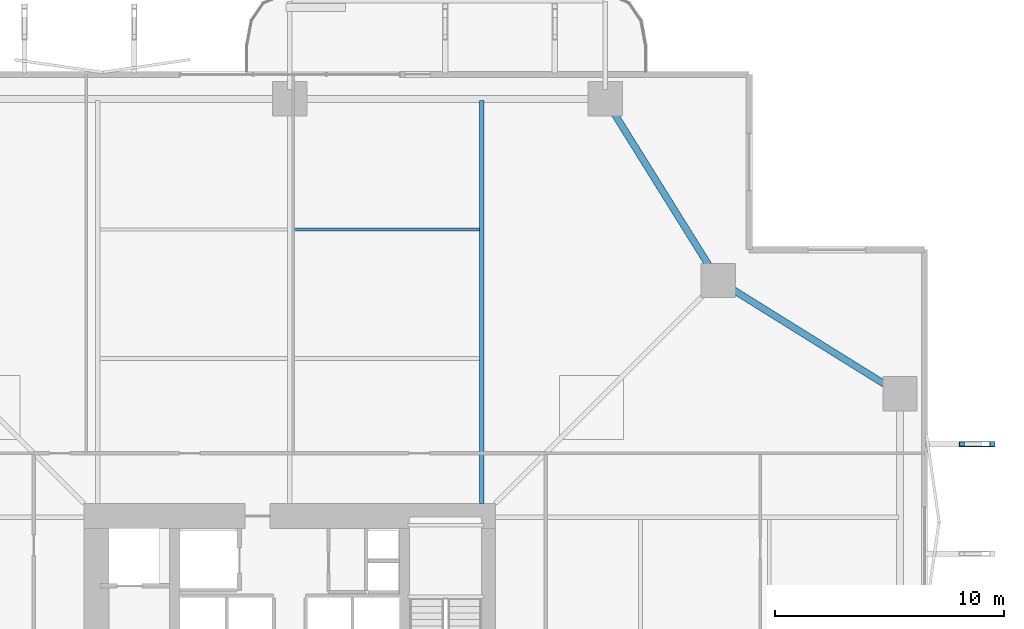
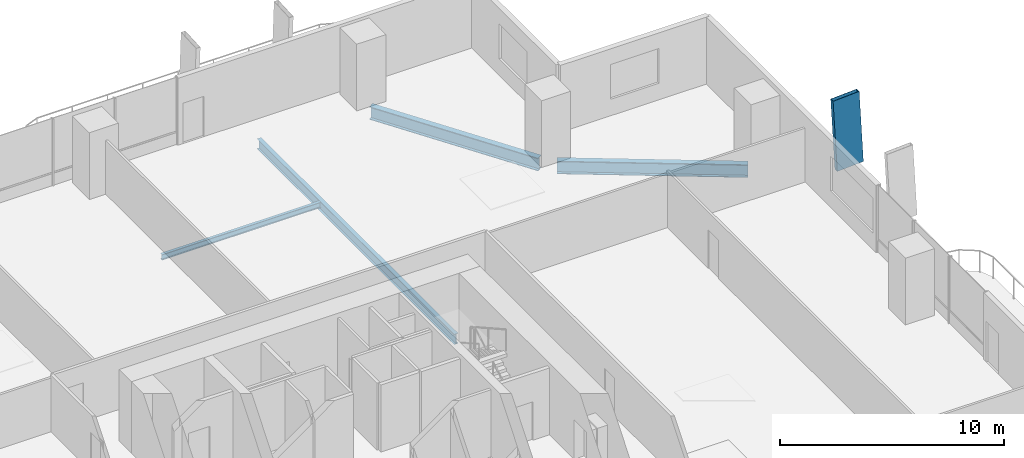
# One storey, part 14 of 23: 4 beams, 1 member.
"""IFC4 building model written with IfcOpenShell, lengths in metres."""

from ifc_helpers import new_model, si_unit, direction, frame, origin, origin_2d, place, context, subcontext, project, spatial, hollow_rectangle, i_section, extrude, material, material_profile, profile_set, type_object, element, save


model = new_model("IFC4")

# Units and contexts
model_context = context("Model", 3, precision=1e-05, world=origin(), true_north=direction((0.0, 1.0)))
body_context = subcontext(model_context, "Body", "Model", "MODEL_VIEW")
ifc_project = project(units=[si_unit("LENGTHUNIT", "METRE"), si_unit("AREAUNIT", "SQUARE_METRE"), si_unit("VOLUMEUNIT", "CUBIC_METRE"), si_unit("PLANEANGLEUNIT", "RADIAN"), si_unit("MASSUNIT", "GRAM", prefix="KILO")], contexts=[model_context])

# Site, building, storey
site_placement = place(None, origin())
site = spatial("IfcSite", under=ifc_project, at=site_placement, CompositionType="ELEMENT")
building_placement = place(site_placement, origin())
building = spatial("IfcBuilding", under=site, at=building_placement, Name="Belovzor Exchange Tower", CompositionType="ELEMENT")
storey_placement = place(building_placement, frame((0.0, 0.0, 53.39990234375)))
storey = spatial("IfcBuildingStorey", under=building, at=storey_placement, Name="L12", CompositionType="ELEMENT", Elevation=53.39990234375)

# Member
ifc_material_1 = material(Name="Extruded Architectural Terracotta on Steel S355 Carrier", Category="masonry")
ifc_material_profile_1 = material_profile(ifc_material_1, hollow_rectangle(XDim=0.219970703125, YDim=1.35009765625, WallThickness=0.013916015625, at=origin_2d()))
ifc_profile_set_1 = profile_set([ifc_material_profile_1], Name="Extruded Architectural Terracotta on Steel S355 Carrier")
member_type = type_object("IfcMemberType", Name="Base Arc Sweeping Terracotta Pylon Fin 1450", PredefinedType="USERDEFINED", material=ifc_profile_set_1)
member_placement = place(storey_placement, frame((58.97900390625, 40.39990234375, -0.25), z_axis=(-0.055314244803, 0.0, 0.998468995173), x_axis=(0.0, -1.0, 0.0)))
element("IfcMember", 1, at=member_placement, inside=storey, type_object=member_type, Name="FIN-TC145 Terracotta Facade Fin L12 E4", ObjectType="FIN", PredefinedType="USERDEFINED", context=body_context, shape_type="SweptSolid", body=[
    extrude(hollow_rectangle(XDim=0.219970703125, YDim=1.35009765625, WallThickness=0.013916015625, at=origin_2d()), origin(), (0.0, 0.0, 1.0), 3.906005859375),
])

# Beams
ifc_material_2 = material(Name="Steel S355", Category="steel")
ifc_material_profile_2 = material_profile(ifc_material_2, i_section(OverallWidth=0.14990234375, OverallDepth=0.300048828125, WebThickness=0.007080078125, FlangeThickness=0.0107421875, at=origin_2d()))
ifc_profile_set_2 = profile_set([ifc_material_profile_2], Name="Steel S355")
beam_type_1 = type_object("IfcBeamType", Name="Secondary Trim Floor Joist IPE 300", PredefinedType="BEAM", material=ifc_profile_set_2)
beam_1_placement = place(storey_placement, frame((28.905029296875, 49.784912109375, -0.39990234375), z_axis=(1.0, 0.0, 0.0), x_axis=(0.0, 1.0, 0.0)))
element("IfcBeam", 2, at=beam_1_placement, inside=storey, type_object=beam_type_1, Name="FJ-300 Secondary Trim Floor Joist IPE 300", PredefinedType="BEAM", context=body_context, shape_type="SweptSolid", body=[
    extrude(i_section(OverallWidth=0.14990234375, OverallDepth=0.300048828125, WebThickness=0.007080078125, FlangeThickness=0.0107421875, at=origin_2d()), origin(), (0.0, 0.0, 1.0), 8.18994140625),
])
ifc_material_3 = material(Name="Steel S355", Category="steel")
ifc_material_profile_3 = material_profile(ifc_material_3, i_section(OverallWidth=0.300048828125, OverallDepth=0.699951171875, WebThickness=0.01708984375, FlangeThickness=0.031982421875, at=origin_2d()))
ifc_profile_set_3 = profile_set([ifc_material_profile_3], Name="Steel S355")
beam_type_2 = type_object("IfcBeamType", Name="Zone 1 Primary Perimeter Girder HEB 700", PredefinedType="BEAM", material=ifc_profile_set_3)
for number, where, z_axis, x_axis, name in (
    (3, (55.14990234375, 42.818115234375, -0.599853515625), (-0.848909251292, 0.528538629686, 0.0), (-0.528538629686, -0.848909251292, 0.0), "FG-Z1 Zone 1 Primary Perimeter Girder HEB 700"),
    (4, (47.33203125, 47.89990234375, -0.599853515625), (-0.528538629686, 0.848909251292, 0.0), (-0.848909251292, -0.528538629686, 0.0), "FG-Z1 Zone 1 Primary Perimeter Girder HEB 700"),
):
    element("IfcBeam", number, at=place(storey_placement, frame(where, z_axis=z_axis, x_axis=x_axis)), inside=storey, type_object=beam_type_2, Name=name, PredefinedType="BEAM", context=body_context, shape_type="SweptSolid", body=[
        extrude(i_section(OverallWidth=0.300048828125, OverallDepth=0.699951171875, WebThickness=0.01708984375, FlangeThickness=0.031982421875, at=origin_2d()), origin(), (0.0, 0.0, 1.0), 8.540283203125),
    ])
ifc_material_4 = material(Name="Steel S355", Category="steel")
ifc_material_profile_4 = material_profile(ifc_material_4, i_section(OverallWidth=0.2099609375, OverallDepth=0.550048828125, WebThickness=0.010986328125, FlangeThickness=0.01708984375, at=origin_2d()))
ifc_profile_set_4 = profile_set([ifc_material_profile_4], Name="Steel S355")
beam_type_3 = type_object("IfcBeamType", Name="Zone 1 Radial Composite Floor Beam IPE 550", PredefinedType="BEAM", material=ifc_profile_set_4)
beam_2_placement = place(storey_placement, frame((37.199951171875, 37.800048828125, -0.52490234375), z_axis=(0.0, 1.0, 0.0), x_axis=(-1.0, 0.0, 0.0)))
element("IfcBeam", 5, at=beam_2_placement, inside=storey, type_object=beam_type_3, Name="FB-550 Zone 1 Radial Composite Floor Beam IPE 550", PredefinedType="BEAM", context=body_context, shape_type="SweptSolid", body=[
    extrude(i_section(OverallWidth=0.2099609375, OverallDepth=0.550048828125, WebThickness=0.010986328125, FlangeThickness=0.01708984375, at=origin_2d()), origin(), (0.0, 0.0, 1.0), 17.625),
])

save(model, "model.ifc")
